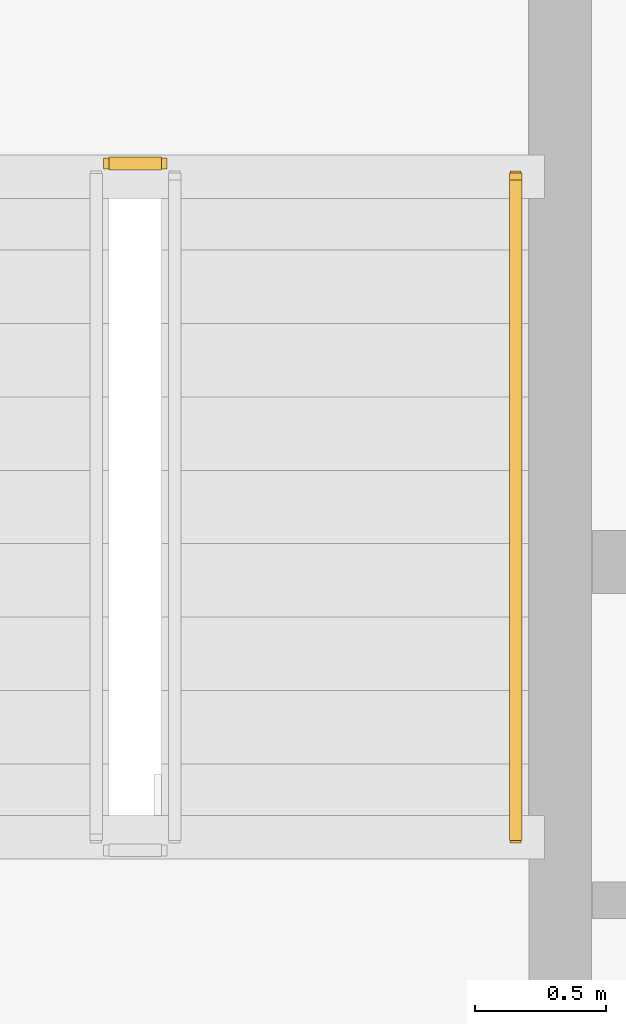
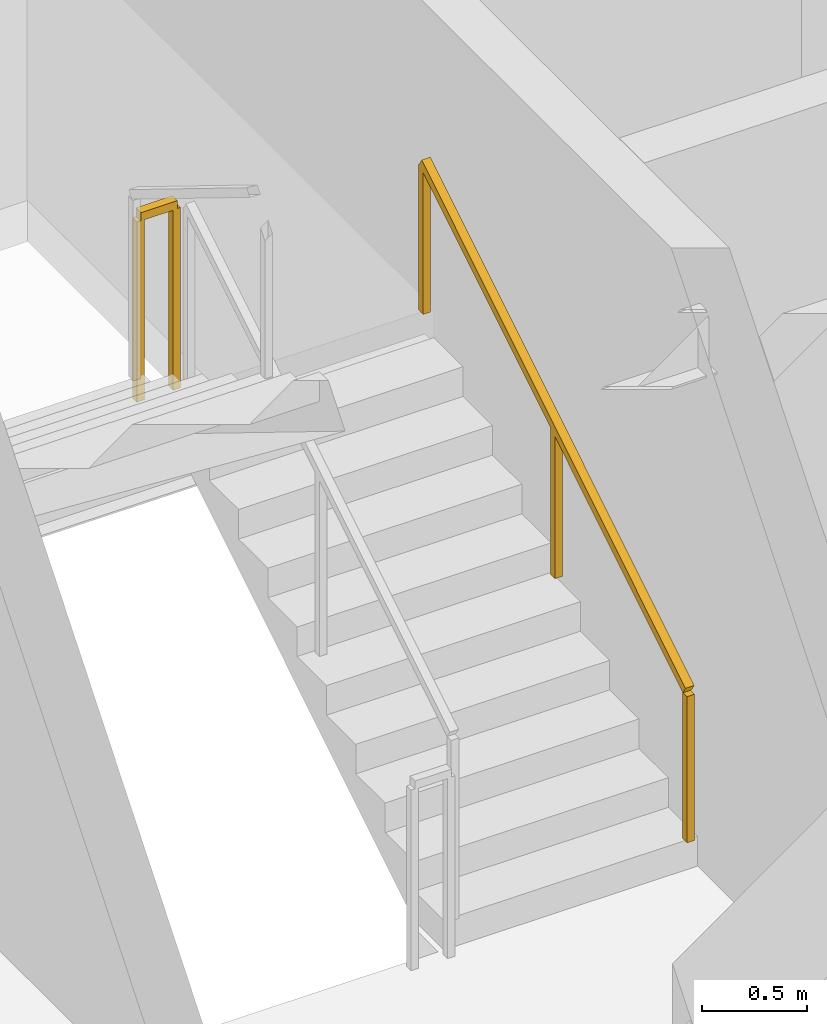
# One storey, part 10 of 11: 2 railings.
"""IFC4 building model written with IfcOpenShell, lengths in metres."""

from ifc_helpers import new_model, si_unit, direction, frame, origin, origin_2d, place, context, subcontext, project, spatial, rectangle, extrude, material, type_object, element, save


model = new_model("IFC4")

# Units and contexts
model_context = context("Model", 3, precision=1e-05, world=origin(), true_north=direction((0.0, 1.0)))
body_context = subcontext(model_context, "Body", "Model", "MODEL_VIEW")
ifc_project = project(units=[si_unit("LENGTHUNIT", "METRE"), si_unit("AREAUNIT", "SQUARE_METRE"), si_unit("VOLUMEUNIT", "CUBIC_METRE"), si_unit("PLANEANGLEUNIT", "RADIAN"), si_unit("MASSUNIT", "GRAM", prefix="KILO")], contexts=[model_context])

# Site, building, storey
site_placement = place(None, origin())
site = spatial("IfcSite", under=ifc_project, at=site_placement, CompositionType="ELEMENT")
building_placement = place(site_placement, origin())
building = spatial("IfcBuilding", under=site, at=building_placement, Name="Haldorwick Loom Tower", CompositionType="ELEMENT")
storey_placement = place(building_placement, frame((0.0, 0.0, 234.0)))
storey = spatial("IfcBuildingStorey", under=building, at=storey_placement, Name="L63", CompositionType="ELEMENT", Elevation=234.0)

# Railings
ifc_material = material(Name="Steel CSA G40.21 350W", Category="steel")
railing_type_1 = type_object("IfcRailingType", Name="ARC-RLG-GUARD112", PredefinedType="GUARDRAIL", material=ifc_material)
railing_1_placement = place(storey_placement, frame((31.85009765625, 30.969970703125, 1.72509765625)))
element("IfcRailing", 1, at=railing_1_placement, inside=storey, type_object=railing_type_1, Name="L63 ST-03 stair guard 2", PredefinedType="GUARDRAIL", context=body_context, shape_type="SweptSolid", body=[
    extrude(rectangle(XDim=0.048095703125, YDim=0.048095703125, at=origin_2d()), frame((0.0, 0.0, 1.076171875), z_axis=(-1.0, 0.0, 0.0), x_axis=(0.0, -1.0, 0.0)), (0.0, 0.0, 1.0), 0.2001953125),
    extrude(rectangle(XDim=0.0419921875, YDim=0.0419921875, at=origin_2d()), origin(), (0.0, 0.0, 1.0), 1.052001953125),
    extrude(rectangle(XDim=0.0419921875, YDim=0.0419921875, at=origin_2d()), frame((-0.2001953125, 0.0, 0.0)), (0.0, 0.0, 1.0), 1.052001953125),
])
railing_type_2 = type_object("IfcRailingType", Name="ARC-RLG-HAND092", PredefinedType="HANDRAIL", material=ifc_material)
railing_2_placement = place(storey_placement, frame((33.199951171875, 28.39990234375, 0.172607421875)))
element("IfcRailing", 2, at=railing_2_placement, inside=storey, type_object=railing_type_2, Name="L63 ST-03 stair handrail 1", PredefinedType="HANDRAIL", context=body_context, shape_type="SweptSolid", body=[
    extrude(rectangle(XDim=0.048095703125, YDim=0.048095703125, at=origin_2d()), frame((0.0, 0.0, 0.8759765625), z_axis=(0.0, 0.851400495292, 0.524516154772), x_axis=(-1.0, 0.0, 0.0)), (0.0, 0.0, 1.0), 2.9599609375),
    extrude(rectangle(XDim=0.0419921875, YDim=0.0419921875, at=origin_2d()), origin(), (0.0, 0.0, 1.0), 0.851806640625),
    extrude(rectangle(XDim=0.0419921875, YDim=0.0419921875, at=origin_2d()), frame((0.0, 1.260009765625, 0.7763671875)), (0.0, 0.0, 1.0), 0.851806640625),
    extrude(rectangle(XDim=0.0419921875, YDim=0.0419921875, at=origin_2d()), frame((0.0, 2.52001953125, 1.552490234375)), (0.0, 0.0, 1.0), 0.851806640625),
])

save(model, "model.ifc")
